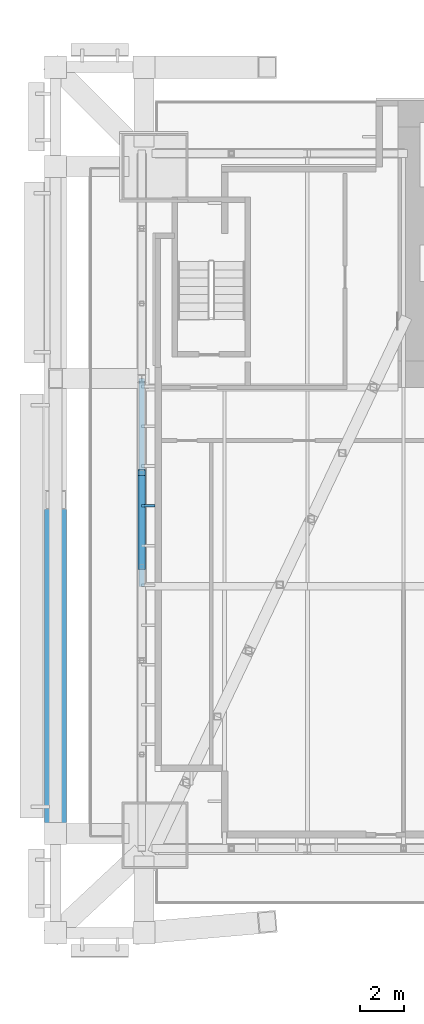
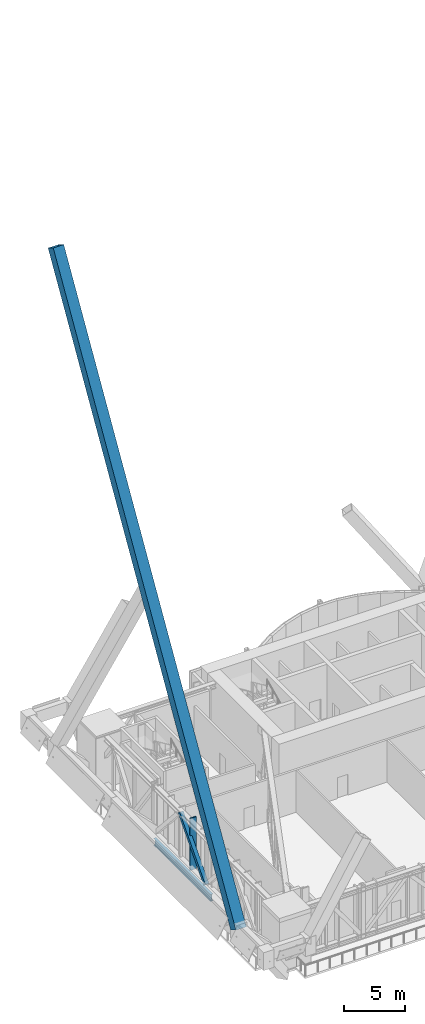
# One storey, part 6 of 32: 3 members, 1 beam, 1 element without a shape of its own.
"""IFC4 building model written with IfcOpenShell, lengths in metres."""

from ifc_helpers import new_model, si_unit, direction, frame, origin, origin_2d, place, context, subcontext, project, spatial, rectangle, hollow_rectangle, i_section, extrude, material, material_profile, profile_set, type_object, element, aggregate, save


model = new_model("IFC4")

# Units and contexts
model_context = context("Model", 3, precision=1e-05, world=origin(), true_north=direction((0.0, 1.0)))
body_context = subcontext(model_context, "Body", "Model", "MODEL_VIEW")
ifc_project = project(units=[si_unit("LENGTHUNIT", "METRE"), si_unit("AREAUNIT", "SQUARE_METRE"), si_unit("VOLUMEUNIT", "CUBIC_METRE"), si_unit("PLANEANGLEUNIT", "RADIAN"), si_unit("MASSUNIT", "GRAM", prefix="KILO")], contexts=[model_context])

# Site, building, storey
site_placement = place(None, origin())
site = spatial("IfcSite", under=ifc_project, at=site_placement, CompositionType="ELEMENT")
building_placement = place(site_placement, origin())
building = spatial("IfcBuilding", under=site, at=building_placement, Name="Bicima Exchange Tower", CompositionType="ELEMENT")
storey_placement = place(building_placement, frame((0.0, 0.0, 135.0)))
storey = spatial("IfcBuildingStorey", under=building, at=storey_placement, Name="L29", CompositionType="ELEMENT", Elevation=135.0)

# Curtain wall, member
ifc_material_1 = material(Name="Anodised bronze aluminium", Category="aluminium")
curtain_wall_type = type_object("IfcCurtainWallType", Name="Band blade screen", PredefinedType="NOTDEFINED", material=ifc_material_1)
curtain_wall_placement = place(storey_placement, origin())
curtain_wall = element("IfcCurtainWall", 1, at=curtain_wall_placement, inside=storey, type_object=curtain_wall_type, Name="Band blade screen L29", PredefinedType="NOTDEFINED")
ifc_material_profile_1 = material_profile(ifc_material_1, rectangle(XDim=0.60009765625, YDim=0.1201171875, at=origin_2d()))
ifc_profile_set_1 = profile_set([ifc_material_profile_1], Name="Anodised bronze aluminium")
member_type_1 = type_object("IfcMemberType", Name="Band blade fin 600 x 120", PredefinedType="USERDEFINED", material=ifc_profile_set_1)
member_1_placement = place(storey_placement, frame((-33.300048828125, -18.356201171875, 0.0), z_axis=(0.0, 0.0, 1.0), x_axis=(1.0, 0.0, 0.0)))
member_1 = element("IfcMember", 2, at=member_1_placement, type_object=member_type_1, Name="Band blade fin 18", ObjectType="FIN", PredefinedType="USERDEFINED", context=body_context, shape_type="SweptSolid", body=[
    extrude(rectangle(XDim=0.60009765625, YDim=0.1201171875, at=origin_2d()), origin(), (0.0, 0.0, 1.0), 5.25),
])
aggregate(curtain_wall, [member_1])

# Member
ifc_material_2 = material(Name="Steel ASTM A572 Gr 50", Category="steel")
ifc_material_profile_2 = material_profile(ifc_material_2, hollow_rectangle(XDim=0.355712890625, YDim=0.355712890625, WallThickness=0.0146484375, at=origin_2d()))
ifc_profile_set_2 = profile_set([ifc_material_profile_2], Name="Steel ASTM A572 Gr 50")
member_type_2 = type_object("IfcMemberType", Name="Belt truss diagonal HSS14x14x5/8", PredefinedType="STRUT", material=ifc_profile_set_2)
member_2_placement = place(storey_placement, frame((-33.60009765625, -16.853271484375, 5.001220703125), z_axis=(0.0, -0.666881015123, -0.74516421792), x_axis=(1.0, 0.0, 0.0)))
element("IfcMember", 3, at=member_2_placement, inside=storey, type_object=member_type_2, Name="Truss diagonal", PredefinedType="STRUT", context=body_context, shape_type="SweptSolid", body=[
    extrude(hollow_rectangle(XDim=0.355712890625, YDim=0.355712890625, WallThickness=0.0146484375, at=origin_2d()), origin(), (0.0, 0.0, 1.0), 6.377685546875),
])

# Beam
ifc_material_3 = material(Name="Steel ASTM A992 Gr 50", Category="steel")
ifc_material_profile_3 = material_profile(ifc_material_3, i_section(OverallWidth=0.256591796875, OverallDepth=0.693359375, WebThickness=0.014404296875, FlangeThickness=0.023681640625, at=origin_2d()))
ifc_profile_set_3 = profile_set([ifc_material_profile_3], Name="Steel ASTM A992 Gr 50")
beam_type = type_object("IfcBeamType", Name="End girder W27x114", PredefinedType="BEAM", material=ifc_profile_set_3)
beam_placement = place(storey_placement, frame((-33.60009765625, -12.60009765625, -0.546630859375), z_axis=(0.0, -1.0, 0.0), x_axis=(1.0, 0.0, 0.0)))
element("IfcBeam", 4, at=beam_placement, inside=storey, type_object=beam_type, Name="End girder", PredefinedType="BEAM", context=body_context, shape_type="SweptSolid", body=[
    extrude(i_section(OverallWidth=0.256591796875, OverallDepth=0.693359375, WebThickness=0.014404296875, FlangeThickness=0.023681640625, at=origin_2d()), origin(), (0.0, 0.0, 1.0), 9.39990234375),
])

# Member
ifc_material_profile_4 = material_profile(ifc_material_2, hollow_rectangle(XDim=1.0, YDim=1.0, WallThickness=0.06005859375, at=origin_2d()))
ifc_profile_set_4 = profile_set([ifc_material_profile_4], Name="Steel ASTM A572 Gr 50")
member_type_3 = type_object("IfcMemberType", Name="Exo mega brace BOX 1000x1000x60", PredefinedType="BRACE", material=ifc_profile_set_4)
member_3_placement = place(storey_placement, frame((-37.5, -33.184814453125, 4.5), z_axis=(0.0, 0.513055453461, 0.858355463473), x_axis=(-1.0, 0.0, 0.0)))
element("IfcMember", 5, at=member_3_placement, inside=storey, type_object=member_type_3, Name="Exo mega brace end", PredefinedType="BRACE", context=body_context, shape_type="SweptSolid", body=[
    extrude(hollow_rectangle(XDim=1.0, YDim=1.0, WallThickness=0.06005859375, at=origin_2d()), origin(), (0.0, 0.0, 1.0), 58.83349609375),
])

save(model, "model.ifc")
